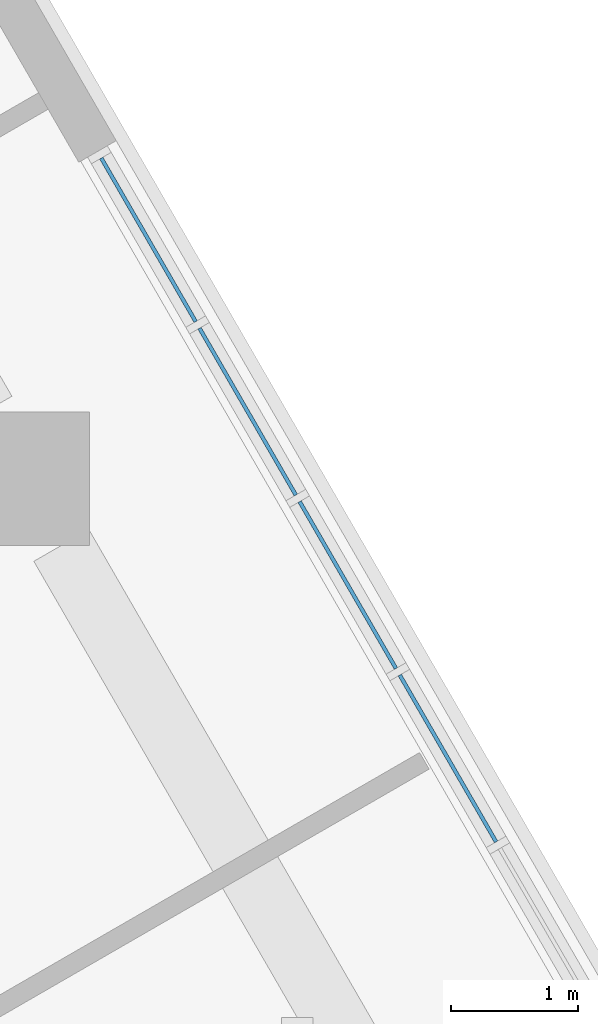
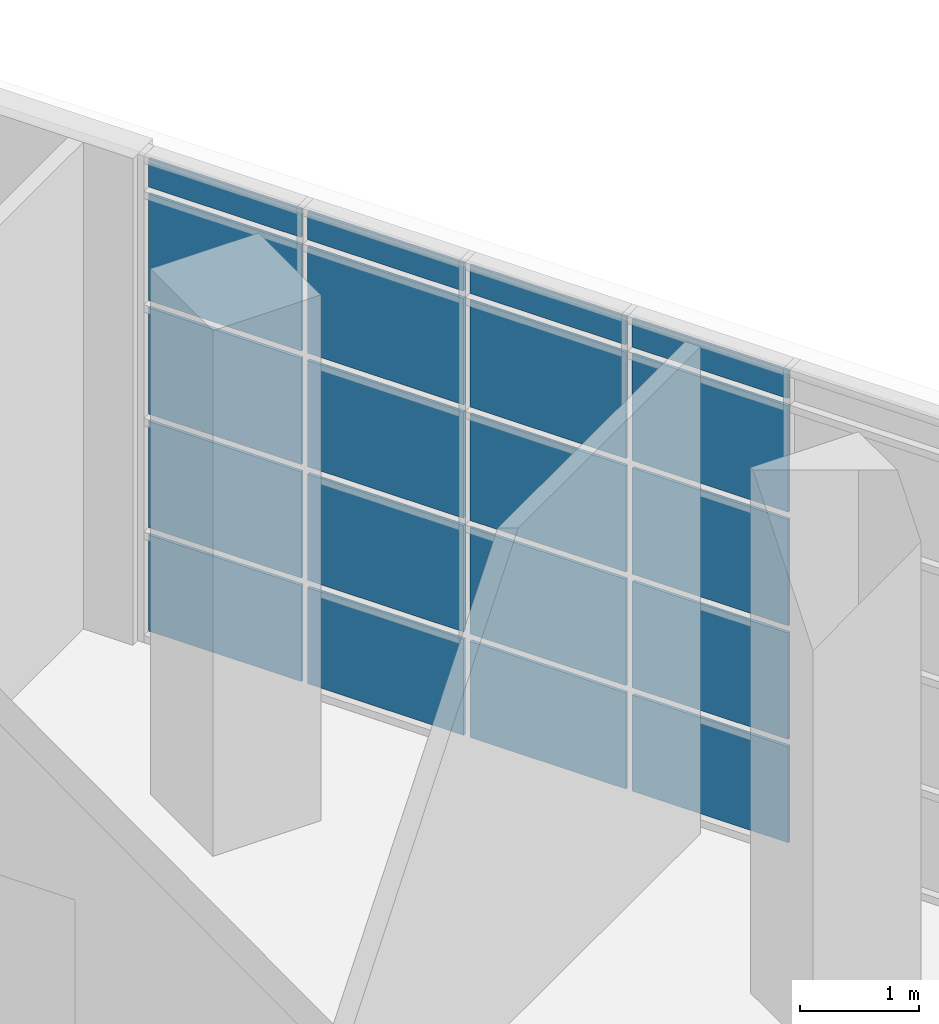
# One storey, part 11 of 18: 20 plates, 1 element without a shape of its own.
"""IFC4 building model written with IfcOpenShell, lengths in metres."""

from ifc_helpers import new_model, si_unit, direction, frame, origin, origin_2d, place, context, subcontext, project, spatial, rectangle, extrude, material, layer, layer_set, type_object, element, aggregate, save


model = new_model("IFC4")

# Units and contexts
model_context = context("Model", 3, precision=1e-05, world=origin(), true_north=direction((0.0, 1.0)))
body_context = subcontext(model_context, "Body", "Model", "MODEL_VIEW")
ifc_project = project(units=[si_unit("LENGTHUNIT", "METRE"), si_unit("AREAUNIT", "SQUARE_METRE"), si_unit("VOLUMEUNIT", "CUBIC_METRE"), si_unit("PLANEANGLEUNIT", "RADIAN"), si_unit("MASSUNIT", "GRAM", prefix="KILO")], contexts=[model_context])

# Site, building, storey
site_placement = place(None, origin())
site = spatial("IfcSite", under=ifc_project, at=site_placement, CompositionType="ELEMENT")
building_placement = place(site_placement, origin())
building = spatial("IfcBuilding", under=site, at=building_placement, Name="Fogline Exchange Tower", CompositionType="ELEMENT")
storey_placement = place(building_placement, frame((0.0, 0.0, 137.5)))
storey = spatial("IfcBuildingStorey", under=building, at=storey_placement, Name="L30", CompositionType="ELEMENT", Elevation=137.5)

# Curtain wall, plates
ifc_material_1 = material(Name="Aluminium and glass", Category="aluminium")
curtain_wall_type = type_object("IfcCurtainWallType", Name="CW4", PredefinedType="NOTDEFINED", material=ifc_material_1)
curtain_wall_placement = place(storey_placement, origin())
curtain_wall = element("IfcCurtainWall", 1, at=curtain_wall_placement, inside=storey, type_object=curtain_wall_type, Name="CW4 L30 E run 4", PredefinedType="NOTDEFINED")
ifc_material_2 = material(Name="Glass", Category="glass")
ifc_layer = layer(ifc_material_2, 0.030029296875)
ifc_layer_set = layer_set([ifc_layer], Name="CW4-P")
plate_type = type_object("IfcPlateType", Name="CW4-P", PredefinedType="CURTAIN_PANEL", material=ifc_layer_set)
plate_1_placement = place(storey_placement, frame((10.185791015625, 40.94384765625, 0.0751953125), z_axis=(0.0, 0.0, 1.0), x_axis=(-0.500000016959, 0.866025393993, 0.0)))
plate_1 = element("IfcPlate", 2, at=plate_1_placement, type_object=plate_type, Name="CW4-T09-07 panel 2.1", PredefinedType="CURTAIN_PANEL", context=body_context, shape_type="SweptSolid", body=[
    extrude(rectangle(XDim=1.51708984375, YDim=0.030029296875, at=origin_2d()), origin(), (0.0, 0.0, 1.0), 0.987548828125),
])
plate_2_placement = place(storey_placement, frame((10.185791015625, 40.94384765625, 1.137451171875), z_axis=(0.0, 0.0, 1.0), x_axis=(-0.500000016959, 0.866025393993, 0.0)))
plate_2 = element("IfcPlate", 3, at=plate_2_placement, type_object=plate_type, Name="CW4-T09-07 panel 2.2", PredefinedType="CURTAIN_PANEL", context=body_context, shape_type="SweptSolid", body=[
    extrude(rectangle(XDim=1.51708984375, YDim=0.030029296875, at=origin_2d()), origin(), (0.0, 0.0, 1.0), 1.091796875),
])
plate_3_placement = place(storey_placement, frame((10.185791015625, 40.94384765625, 2.30419921875), z_axis=(0.0, 0.0, 1.0), x_axis=(-0.500000016959, 0.866025393993, 0.0)))
plate_3 = element("IfcPlate", 4, at=plate_3_placement, type_object=plate_type, Name="CW4-T09-07 panel 2.3", PredefinedType="CURTAIN_PANEL", context=body_context, shape_type="SweptSolid", body=[
    extrude(rectangle(XDim=1.51708984375, YDim=0.030029296875, at=origin_2d()), origin(), (0.0, 0.0, 1.0), 1.091552734375),
])
plate_4_placement = place(storey_placement, frame((10.185791015625, 40.94384765625, 3.470703125), z_axis=(0.0, 0.0, 1.0), x_axis=(-0.500000016959, 0.866025393993, 0.0)))
plate_4 = element("IfcPlate", 5, at=plate_4_placement, type_object=plate_type, Name="CW4-T09-07 panel 2.4", PredefinedType="CURTAIN_PANEL", context=body_context, shape_type="SweptSolid", body=[
    extrude(rectangle(XDim=1.51708984375, YDim=0.030029296875, at=origin_2d()), origin(), (0.0, 0.0, 1.0), 1.091796875),
])
plate_5_placement = place(storey_placement, frame((10.185791015625, 40.94384765625, 4.637451171875), z_axis=(0.0, 0.0, 1.0), x_axis=(-0.500000016959, 0.866025393993, 0.0)))
plate_5 = element("IfcPlate", 6, at=plate_5_placement, type_object=plate_type, Name="CW4-T09-07 panel 2.5", PredefinedType="CURTAIN_PANEL", context=body_context, shape_type="SweptSolid", body=[
    extrude(rectangle(XDim=1.51708984375, YDim=0.030029296875, at=origin_2d()), origin(), (0.0, 0.0, 1.0), 0.28759765625),
])
plate_6_placement = place(storey_placement, frame((9.397216796875, 42.3095703125, 0.0751953125), z_axis=(0.0, 0.0, 1.0), x_axis=(-0.500000016959, 0.866025393993, 0.0)))
plate_6 = element("IfcPlate", 7, at=plate_6_placement, type_object=plate_type, Name="CW4-T09-07 panel 3.1", PredefinedType="CURTAIN_PANEL", context=body_context, shape_type="SweptSolid", body=[
    extrude(rectangle(XDim=1.51708984375, YDim=0.030029296875, at=origin_2d()), origin(), (0.0, 0.0, 1.0), 0.987548828125),
])
plate_7_placement = place(storey_placement, frame((9.397216796875, 42.3095703125, 1.137451171875), z_axis=(0.0, 0.0, 1.0), x_axis=(-0.500000016959, 0.866025393993, 0.0)))
plate_7 = element("IfcPlate", 8, at=plate_7_placement, type_object=plate_type, Name="CW4-T09-07 panel 3.2", PredefinedType="CURTAIN_PANEL", context=body_context, shape_type="SweptSolid", body=[
    extrude(rectangle(XDim=1.51708984375, YDim=0.030029296875, at=origin_2d()), origin(), (0.0, 0.0, 1.0), 1.091796875),
])
plate_8_placement = place(storey_placement, frame((9.397216796875, 42.3095703125, 2.30419921875), z_axis=(0.0, 0.0, 1.0), x_axis=(-0.500000016959, 0.866025393993, 0.0)))
plate_8 = element("IfcPlate", 9, at=plate_8_placement, type_object=plate_type, Name="CW4-T09-07 panel 3.3", PredefinedType="CURTAIN_PANEL", context=body_context, shape_type="SweptSolid", body=[
    extrude(rectangle(XDim=1.51708984375, YDim=0.030029296875, at=origin_2d()), origin(), (0.0, 0.0, 1.0), 1.091552734375),
])
plate_9_placement = place(storey_placement, frame((9.397216796875, 42.3095703125, 3.470703125), z_axis=(0.0, 0.0, 1.0), x_axis=(-0.500000016959, 0.866025393993, 0.0)))
plate_9 = element("IfcPlate", 10, at=plate_9_placement, type_object=plate_type, Name="CW4-T09-07 panel 3.4", PredefinedType="CURTAIN_PANEL", context=body_context, shape_type="SweptSolid", body=[
    extrude(rectangle(XDim=1.51708984375, YDim=0.030029296875, at=origin_2d()), origin(), (0.0, 0.0, 1.0), 1.091796875),
])
plate_10_placement = place(storey_placement, frame((9.397216796875, 42.3095703125, 4.637451171875), z_axis=(0.0, 0.0, 1.0), x_axis=(-0.500000016959, 0.866025393993, 0.0)))
plate_10 = element("IfcPlate", 11, at=plate_10_placement, type_object=plate_type, Name="CW4-T09-07 panel 3.5", PredefinedType="CURTAIN_PANEL", context=body_context, shape_type="SweptSolid", body=[
    extrude(rectangle(XDim=1.51708984375, YDim=0.030029296875, at=origin_2d()), origin(), (0.0, 0.0, 1.0), 0.28759765625),
])
plate_11_placement = place(storey_placement, frame((8.608642578125, 43.67529296875, 0.0751953125), z_axis=(0.0, 0.0, 1.0), x_axis=(-0.500000016959, 0.866025393993, 0.0)))
plate_11 = element("IfcPlate", 12, at=plate_11_placement, type_object=plate_type, Name="CW4-T09-07 panel 4.1", PredefinedType="CURTAIN_PANEL", context=body_context, shape_type="SweptSolid", body=[
    extrude(rectangle(XDim=1.51708984375, YDim=0.030029296875, at=origin_2d()), origin(), (0.0, 0.0, 1.0), 0.987548828125),
])
plate_12_placement = place(storey_placement, frame((8.608642578125, 43.67529296875, 1.137451171875), z_axis=(0.0, 0.0, 1.0), x_axis=(-0.500000016959, 0.866025393993, 0.0)))
plate_12 = element("IfcPlate", 13, at=plate_12_placement, type_object=plate_type, Name="CW4-T09-07 panel 4.2", PredefinedType="CURTAIN_PANEL", context=body_context, shape_type="SweptSolid", body=[
    extrude(rectangle(XDim=1.51708984375, YDim=0.030029296875, at=origin_2d()), origin(), (0.0, 0.0, 1.0), 1.091796875),
])
plate_13_placement = place(storey_placement, frame((8.608642578125, 43.67529296875, 2.30419921875), z_axis=(0.0, 0.0, 1.0), x_axis=(-0.500000016959, 0.866025393993, 0.0)))
plate_13 = element("IfcPlate", 14, at=plate_13_placement, type_object=plate_type, Name="CW4-T09-07 panel 4.3", PredefinedType="CURTAIN_PANEL", context=body_context, shape_type="SweptSolid", body=[
    extrude(rectangle(XDim=1.51708984375, YDim=0.030029296875, at=origin_2d()), origin(), (0.0, 0.0, 1.0), 1.091552734375),
])
plate_14_placement = place(storey_placement, frame((8.608642578125, 43.67529296875, 3.470703125), z_axis=(0.0, 0.0, 1.0), x_axis=(-0.500000016959, 0.866025393993, 0.0)))
plate_14 = element("IfcPlate", 15, at=plate_14_placement, type_object=plate_type, Name="CW4-T09-07 panel 4.4", PredefinedType="CURTAIN_PANEL", context=body_context, shape_type="SweptSolid", body=[
    extrude(rectangle(XDim=1.51708984375, YDim=0.030029296875, at=origin_2d()), origin(), (0.0, 0.0, 1.0), 1.091796875),
])
plate_15_placement = place(storey_placement, frame((8.608642578125, 43.67529296875, 4.637451171875), z_axis=(0.0, 0.0, 1.0), x_axis=(-0.500000016959, 0.866025393993, 0.0)))
plate_15 = element("IfcPlate", 16, at=plate_15_placement, type_object=plate_type, Name="CW4-T09-07 panel 4.5", PredefinedType="CURTAIN_PANEL", context=body_context, shape_type="SweptSolid", body=[
    extrude(rectangle(XDim=1.51708984375, YDim=0.030029296875, at=origin_2d()), origin(), (0.0, 0.0, 1.0), 0.28759765625),
])
plate_16_placement = place(storey_placement, frame((7.82763671875, 45.02783203125, 0.0751953125), z_axis=(0.0, 0.0, 1.0), x_axis=(-0.500000016959, 0.866025393993, 0.0)))
plate_16 = element("IfcPlate", 17, at=plate_16_placement, type_object=plate_type, Name="CW4-T09-07 panel 5.1", PredefinedType="CURTAIN_PANEL", context=body_context, shape_type="SweptSolid", body=[
    extrude(rectangle(XDim=1.487060546875, YDim=0.030029296875, at=origin_2d()), origin(), (0.0, 0.0, 1.0), 0.987548828125),
])
plate_17_placement = place(storey_placement, frame((7.82763671875, 45.02783203125, 1.137451171875), z_axis=(0.0, 0.0, 1.0), x_axis=(-0.500000016959, 0.866025393993, 0.0)))
plate_17 = element("IfcPlate", 18, at=plate_17_placement, type_object=plate_type, Name="CW4-T09-07 panel 5.2", PredefinedType="CURTAIN_PANEL", context=body_context, shape_type="SweptSolid", body=[
    extrude(rectangle(XDim=1.487060546875, YDim=0.030029296875, at=origin_2d()), origin(), (0.0, 0.0, 1.0), 1.091796875),
])
plate_18_placement = place(storey_placement, frame((7.82763671875, 45.02783203125, 2.30419921875), z_axis=(0.0, 0.0, 1.0), x_axis=(-0.500000016959, 0.866025393993, 0.0)))
plate_18 = element("IfcPlate", 19, at=plate_18_placement, type_object=plate_type, Name="CW4-T09-07 panel 5.3", PredefinedType="CURTAIN_PANEL", context=body_context, shape_type="SweptSolid", body=[
    extrude(rectangle(XDim=1.487060546875, YDim=0.030029296875, at=origin_2d()), origin(), (0.0, 0.0, 1.0), 1.091552734375),
])
plate_19_placement = place(storey_placement, frame((7.82763671875, 45.02783203125, 3.470703125), z_axis=(0.0, 0.0, 1.0), x_axis=(-0.500000016959, 0.866025393993, 0.0)))
plate_19 = element("IfcPlate", 20, at=plate_19_placement, type_object=plate_type, Name="CW4-T09-07 panel 5.4", PredefinedType="CURTAIN_PANEL", context=body_context, shape_type="SweptSolid", body=[
    extrude(rectangle(XDim=1.487060546875, YDim=0.030029296875, at=origin_2d()), origin(), (0.0, 0.0, 1.0), 1.091796875),
])
plate_20_placement = place(storey_placement, frame((7.82763671875, 45.02783203125, 4.637451171875), z_axis=(0.0, 0.0, 1.0), x_axis=(-0.500000016959, 0.866025393993, 0.0)))
plate_20 = element("IfcPlate", 21, at=plate_20_placement, type_object=plate_type, Name="CW4-T09-07 panel 5.5", PredefinedType="CURTAIN_PANEL", context=body_context, shape_type="SweptSolid", body=[
    extrude(rectangle(XDim=1.487060546875, YDim=0.030029296875, at=origin_2d()), origin(), (0.0, 0.0, 1.0), 0.28759765625),
])
aggregate(curtain_wall, [plate_1, plate_2, plate_3, plate_4, plate_5, plate_6, plate_7, plate_8, plate_9, plate_10, plate_11, plate_12, plate_13, plate_14, plate_15, plate_16, plate_17, plate_18, plate_19, plate_20])

save(model, "model.ifc")
